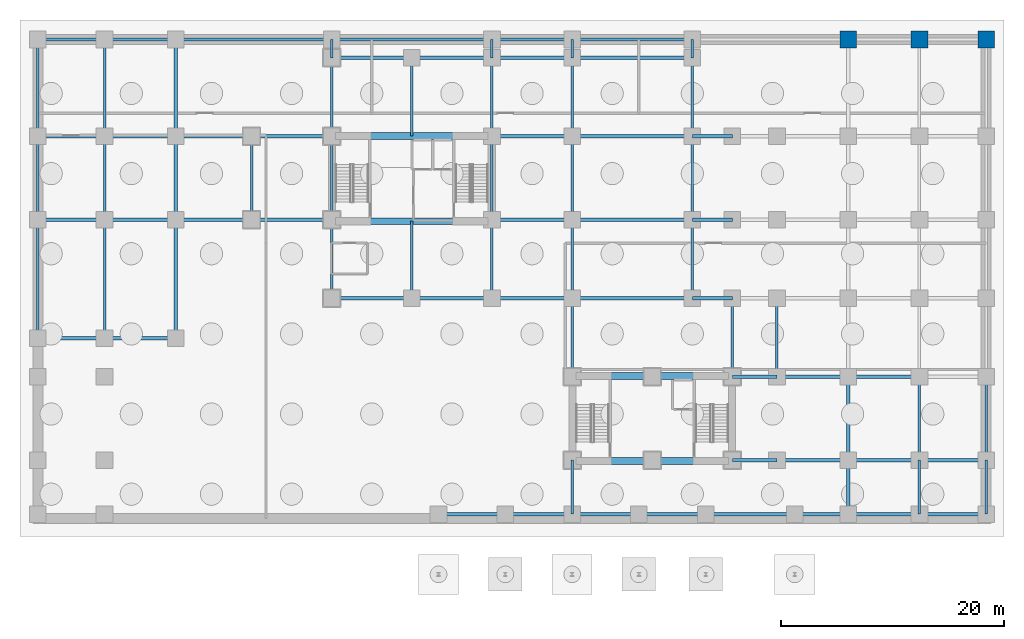
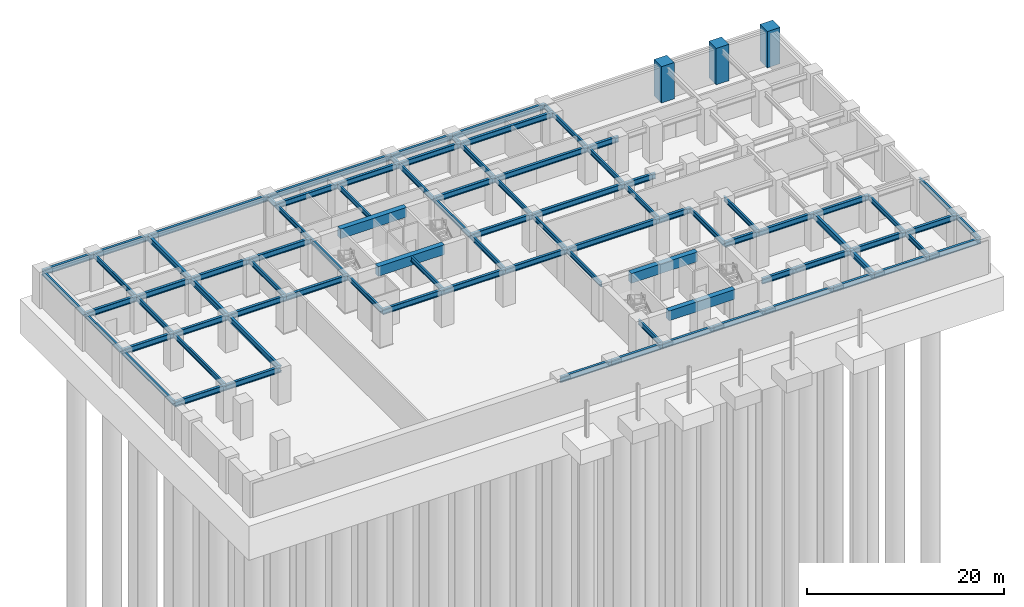
# One storey, part 5 of 11: 88 beams, 3 columns.
"""IFC4 building model written with IfcOpenShell, lengths in metres."""

from ifc_helpers import new_model, si_unit, direction, frame, origin, origin_2d, place, context, subcontext, project, spatial, rectangle, i_section, extrude, source, transform, mapped, material, material_profile, profile_set, type_object, element, save


model = new_model("IFC4")

# Units and contexts
model_context = context("Model", 3, precision=1e-05, world=origin(), true_north=direction((0.0, 1.0)))
body_context = subcontext(model_context, "Body", "Model", "MODEL_VIEW")
ifc_project = project(units=[si_unit("LENGTHUNIT", "METRE"), si_unit("AREAUNIT", "SQUARE_METRE"), si_unit("VOLUMEUNIT", "CUBIC_METRE"), si_unit("PLANEANGLEUNIT", "RADIAN"), si_unit("MASSUNIT", "GRAM", prefix="KILO")], contexts=[model_context])

# Site, building, storey
site_placement = place(None, origin())
site = spatial("IfcSite", under=ifc_project, at=site_placement, CompositionType="ELEMENT")
building_placement = place(site_placement, origin())
building = spatial("IfcBuilding", under=site, at=building_placement, Name="Kaliganga Portal Commons", CompositionType="ELEMENT")
storey_placement = place(building_placement, frame((0.0, 0.0, -9.0)))
storey = spatial("IfcBuildingStorey", under=building, at=storey_placement, Name="B2", CompositionType="ELEMENT", Elevation=-9.0)

# Columns
ifc_material_1 = material(Name="Concrete C70/85", Category="concrete")
ifc_material_profile_1 = material_profile(ifc_material_1, rectangle(XDim=1.5, YDim=1.5, at=origin_2d()), Name="RC 1500x1500")
ifc_profile_set_1 = profile_set([ifc_material_profile_1], Name="Concrete C70/85")
column_type = type_object("IfcColumnType", Name="COL-MEGA-Z0", PredefinedType="COLUMN", material=ifc_profile_set_1)
shared_shape_1 = source(origin(), body_context, "Body", "SweptSolid", [
    extrude(rectangle(XDim=1.5, YDim=1.5, at=origin_2d()), origin(), (0.0, 0.0, 1.0), 4.5),
])
for number, where, z_axis, x_axis, name in (
    (1, (60.800048828125, 44.85009765625, 0.0), (0.0, 0.0, 1.0), (1.0, 0.0, 0.0), "Column MC-01 B2"),
    (2, (67.199951171875, 44.85009765625, 0.0), (0.0, 0.0, 1.0), (1.0, 0.0, 0.0), "Column MC-01 B2"),
    (3, (73.199951171875, 44.85009765625, 0.0), (0.0, 0.0, 1.0), (1.0, 0.0, 0.0), "Column MC-01 B2"),
):
    element("IfcColumn", number, at=place(storey_placement, frame(where, z_axis=z_axis, x_axis=x_axis)), inside=storey, type_object=column_type, Name=name, PredefinedType="COLUMN", context=body_context, shape_type="MappedRepresentation", body=[
        mapped(shared_shape_1, transform((0.0, 0.0, 0.0), x_axis=(1.0, 0.0, 0.0), y_axis=(0.0, 1.0, 0.0), z_axis=(0.0, 0.0, 1.0), scale=1.0)),
    ])

# Beams
ifc_material_2 = material(Name="Concrete C60/75", Category="concrete")
ifc_material_profile_2 = material_profile(ifc_material_2, rectangle(XDim=0.60009765625, YDim=1.199951171875, at=origin_2d()), Name="RC 600x1200")
ifc_profile_set_2 = profile_set([ifc_material_profile_2], Name="Concrete C60/75")
beam_type_1 = type_object("IfcBeamType", Name="BM-CPL-1200", PredefinedType="LINTEL", material=ifc_profile_set_2)
shared_shape_2 = source(origin(), body_context, "Body", "SweptSolid", [
    extrude(rectangle(XDim=0.60009765625, YDim=1.199951171875, at=origin_2d()), origin(), (0.0, 0.0, 1.0), 7.739990234375),
])
for number, where, z_axis, x_axis, name in (
    (4, (17.72998046875, 28.52490234375, 3.580078125), (1.0, 0.0, 0.0), (0.0, 1.0, 0.0), "BM CPL COREA B2 S"),
    (5, (17.72998046875, 36.175048828125, 3.580078125), (1.0, 0.0, 0.0), (0.0, 1.0, 0.0), "BM CPL COREA B2 N"),
    (6, (39.330078125, 6.97509765625, 3.580078125), (1.0, 0.0, 0.0), (0.0, 1.0, 0.0), "BM CPL COREB B2 S"),
    (7, (39.330078125, 14.625, 3.580078125), (1.0, 0.0, 0.0), (0.0, 1.0, 0.0), "BM CPL COREB B2 N"),
):
    element("IfcBeam", number, at=place(storey_placement, frame(where, z_axis=z_axis, x_axis=x_axis)), inside=storey, type_object=beam_type_1, Name=name, PredefinedType="LINTEL", context=body_context, shape_type="MappedRepresentation", body=[
        mapped(shared_shape_2, transform((0.0, 0.0, 0.0), x_axis=(1.0, 0.0, 0.0), y_axis=(0.0, 1.0, 0.0), z_axis=(0.0, 0.0, 1.0), scale=1.0)),
    ])
ifc_material_3 = material(Name="Structural steel S355J2", Category="steel")
ifc_material_profile_3 = material_profile(ifc_material_3, i_section(OverallWidth=0.300048828125, OverallDepth=0.699951171875, WebThickness=0.01708984375, FlangeThickness=0.031982421875, FilletRadius=0.027099609375, at=origin_2d()), Name="HE 700 B")
ifc_profile_set_3 = profile_set([ifc_material_profile_3], Name="Structural steel S355J2 wide-flange")
beam_type_2 = type_object("IfcBeamType", Name="BM-GIRD-700", PredefinedType="USERDEFINED", material=ifc_profile_set_3)
shared_shape_3 = source(origin(), body_context, "Body", "SweptSolid", [
    extrude(i_section(OverallWidth=0.300048828125, OverallDepth=0.699951171875, WebThickness=0.01708984375, FlangeThickness=0.031982421875, FilletRadius=0.027099609375, at=origin_2d()), origin(), (0.0, 0.0, 1.0), 7.2001953125),
])
for number, where, z_axis, x_axis, name in (
    (8, (14.39990234375, 43.199951171875, 3.830078125), (1.0, 0.0, 0.0), (0.0, 1.0, 0.0), "BM G B2 AN_INT 1"),
    (9, (14.39990234375, 21.60009765625, 3.830078125), (1.0, 0.0, 0.0), (0.0, 1.0, 0.0), "BM G B2 AS_INT 1"),
):
    element("IfcBeam", number, at=place(storey_placement, frame(where, z_axis=z_axis, x_axis=x_axis)), inside=storey, type_object=beam_type_2, Name=name, ObjectType="GIRDER", PredefinedType="USERDEFINED", context=body_context, shape_type="MappedRepresentation", body=[
        mapped(shared_shape_3, transform((0.0, 0.0, 0.0), x_axis=(1.0, 0.0, 0.0), y_axis=(0.0, 1.0, 0.0), z_axis=(0.0, 0.0, 1.0), scale=1.0)),
    ])
shared_shape_4 = source(origin(), body_context, "Body", "SweptSolid", [
    extrude(i_section(OverallWidth=0.300048828125, OverallDepth=0.699951171875, WebThickness=0.01708984375, FlangeThickness=0.031982421875, FilletRadius=0.027099609375, at=origin_2d()), origin(), (0.0, 0.0, 1.0), 7.199951171875),
])
for number, where, z_axis, x_axis, name in (
    (10, (21.60009765625, 43.199951171875, 3.830078125), (1.0, 0.0, 0.0), (0.0, 1.0, 0.0), "BM G B2 AN_INT 2"),
    (11, (28.800048828125, 43.199951171875, 3.830078125), (1.0, 0.0, 0.0), (0.0, 1.0, 0.0), "BM G B2 AN_INT 3"),
    (12, (21.60009765625, 21.60009765625, 3.830078125), (1.0, 0.0, 0.0), (0.0, 1.0, 0.0), "BM G B2 AS_INT 2"),
    (13, (28.800048828125, 21.60009765625, 3.830078125), (1.0, 0.0, 0.0), (0.0, 1.0, 0.0), "BM G B2 AS_INT 3"),
    (14, (7.199951171875, 28.64990234375, 3.830078125), (1.0, 0.0, 0.0), (0.0, 1.0, 0.0), "BM G B2 WAH_S 2"),
    (15, (7.199951171875, 36.14990234375, 3.830078125), (1.0, 0.0, 0.0), (0.0, 1.0, 0.0), "BM G B2 WAH_N 2"),
    (16, (28.800048828125, 28.64990234375, 3.830078125), (1.0, 0.0, 0.0), (0.0, 1.0, 0.0), "BM G B2 WAE_S 1"),
    (17, (28.800048828125, 36.14990234375, 3.830078125), (1.0, 0.0, 0.0), (0.0, 1.0, 0.0), "BM G B2 WAE_N 1"),
    (18, (28.800048828125, 44.85009765625, 3.830078125), (1.0, 0.0, 0.0), (0.0, 1.0, 0.0), "BM PODP B2 N44 3"),
):
    element("IfcBeam", number, at=place(storey_placement, frame(where, z_axis=z_axis, x_axis=x_axis)), inside=storey, type_object=beam_type_2, Name=name, ObjectType="GIRDER", PredefinedType="USERDEFINED", context=body_context, shape_type="MappedRepresentation", body=[
        mapped(shared_shape_4, transform((0.0, 0.0, 0.0), x_axis=(1.0, 0.0, 0.0), y_axis=(0.0, 1.0, 0.0), z_axis=(0.0, 0.0, 1.0), scale=1.0)),
    ])
shared_shape_5 = source(origin(), body_context, "Body", "SweptSolid", [
    extrude(i_section(OverallWidth=0.300048828125, OverallDepth=0.699951171875, WebThickness=0.01708984375, FlangeThickness=0.031982421875, FilletRadius=0.027099609375, at=origin_2d()), origin(), (0.0, 0.0, 1.0), 10.800048828125),
])
for number, where, z_axis, x_axis, name in (
    (19, (36.0, 43.199951171875, 3.830078125), (1.0, 0.0, 0.0), (0.0, 1.0, 0.0), "BM G B2 AN_INT 4"),
    (20, (36.0, 21.60009765625, 3.830078125), (1.0, 0.0, 0.0), (0.0, 1.0, 0.0), "BM G B2 AS_INT 4"),
    (21, (36.0, 28.64990234375, 3.830078125), (1.0, 0.0, 0.0), (0.0, 1.0, 0.0), "BM G B2 WAE_S 2"),
    (22, (36.0, 36.14990234375, 3.830078125), (1.0, 0.0, 0.0), (0.0, 1.0, 0.0), "BM G B2 WAE_N 2"),
    (23, (36.0, 44.85009765625, 3.830078125), (1.0, 0.0, 0.0), (0.0, 1.0, 0.0), "BM PODP B2 N44 4"),
):
    element("IfcBeam", number, at=place(storey_placement, frame(where, z_axis=z_axis, x_axis=x_axis)), inside=storey, type_object=beam_type_2, Name=name, ObjectType="GIRDER", PredefinedType="USERDEFINED", context=body_context, shape_type="MappedRepresentation", body=[
        mapped(shared_shape_5, transform((0.0, 0.0, 0.0), x_axis=(1.0, 0.0, 0.0), y_axis=(0.0, 1.0, 0.0), z_axis=(0.0, 0.0, 1.0), scale=1.0)),
    ])
shared_shape_6 = source(origin(), body_context, "Body", "SweptSolid", [
    extrude(i_section(OverallWidth=0.300048828125, OverallDepth=0.699951171875, WebThickness=0.01708984375, FlangeThickness=0.031982421875, FilletRadius=0.027099609375, at=origin_2d()), origin(), (0.0, 0.0, 1.0), 6.800048828125),
])
for number, where, z_axis, x_axis, name in (
    (24, (0.39990234375, 28.64990234375, 3.830078125), (1.0, 0.0, 0.0), (0.0, 1.0, 0.0), "BM G B2 WAH_S 1"),
    (25, (0.39990234375, 36.14990234375, 3.830078125), (1.0, 0.0, 0.0), (0.0, 1.0, 0.0), "BM G B2 WAH_N 1"),
):
    element("IfcBeam", number, at=place(storey_placement, frame(where, z_axis=z_axis, x_axis=x_axis)), inside=storey, type_object=beam_type_2, Name=name, ObjectType="GIRDER", PredefinedType="USERDEFINED", context=body_context, shape_type="MappedRepresentation", body=[
        mapped(shared_shape_6, transform((0.0, 0.0, 0.0), x_axis=(1.0, 0.0, 0.0), y_axis=(0.0, 1.0, 0.0), z_axis=(0.0, 0.0, 1.0), scale=1.0)),
    ])
ifc_material_profile_4 = material_profile(ifc_material_3, i_section(OverallWidth=0.219970703125, OverallDepth=0.60009765625, WebThickness=0.011962890625, FlangeThickness=0.01904296875, FilletRadius=0.02392578125, at=origin_2d()), Name="IPE 600")
ifc_profile_set_4 = profile_set([ifc_material_profile_4], Name="Structural steel S355J2 wide-flange")
beam_type_3 = type_object("IfcBeamType", Name="BM-FLR-600", PredefinedType="BEAM", material=ifc_profile_set_4)
shared_shape_7 = source(origin(), body_context, "Body", "SweptSolid", [
    extrude(i_section(OverallWidth=0.219970703125, OverallDepth=0.60009765625, WebThickness=0.011962890625, FlangeThickness=0.01904296875, FilletRadius=0.02392578125, at=origin_2d()), origin(), (0.0, 0.0, 1.0), 7.5),
])
for number, where, z_axis, x_axis, name in (
    (26, (7.199951171875, 28.64990234375, 3.8798828125), (0.0, 1.0, 0.0), (-1.0, 0.0, 0.0), "BM G B2 AW72"),
    (27, (14.39990234375, 28.64990234375, 3.8798828125), (0.0, 1.0, 0.0), (-1.0, 0.0, 0.0), "BM G B2 AM144"),
    (28, (28.800048828125, 28.64990234375, 3.8798828125), (0.0, 1.0, 0.0), (-1.0, 0.0, 0.0), "BM G B2 AM288"),
    (29, (36.0, 28.64990234375, 3.8798828125), (0.0, 1.0, 0.0), (-1.0, 0.0, 0.0), "BM G B2 AM360"),
    (30, (46.800048828125, 28.64990234375, 3.8798828125), (0.0, 1.0, 0.0), (-1.0, 0.0, 0.0), "BM G B2 AM468"),
    (31, (-12.0, 28.64990234375, 3.8798828125), (0.0, 1.0, 0.0), (-1.0, 0.0, 0.0), "BM PODW B2 X12 2"),
    (32, (-6.0, 28.64990234375, 3.8798828125), (0.0, 1.0, 0.0), (-1.0, 0.0, 0.0), "BM PODW B2 X6 2"),
    (33, (67.199951171875, 7.050048828125, 3.8798828125), (0.0, 1.0, 0.0), (-1.0, 0.0, 0.0), "BM PODE B2 X67 2"),
    (34, (73.199951171875, 7.050048828125, 3.8798828125), (0.0, 1.0, 0.0), (-1.0, 0.0, 0.0), "BM PODE B2 X73 2"),
):
    element("IfcBeam", number, at=place(storey_placement, frame(where, z_axis=z_axis, x_axis=x_axis)), inside=storey, type_object=beam_type_3, Name=name, PredefinedType="BEAM", context=body_context, shape_type="MappedRepresentation", body=[
        mapped(shared_shape_7, transform((0.0, 0.0, 0.0), x_axis=(1.0, 0.0, 0.0), y_axis=(0.0, 1.0, 0.0), z_axis=(0.0, 0.0, 1.0), scale=1.0)),
    ])
shared_shape_8 = source(origin(), body_context, "Body", "SweptSolid", [
    extrude(i_section(OverallWidth=0.219970703125, OverallDepth=0.60009765625, WebThickness=0.011962890625, FlangeThickness=0.01904296875, FilletRadius=0.02392578125, at=origin_2d()), origin(), (0.0, 0.0, 1.0), 7.050048828125),
])
for number, where, z_axis, x_axis, name in (
    (35, (14.39990234375, 36.14990234375, 3.8798828125), (0.0, 1.0, 0.0), (-1.0, 0.0, 0.0), "BM G B2 AN144"),
    (36, (28.800048828125, 36.14990234375, 3.8798828125), (0.0, 1.0, 0.0), (-1.0, 0.0, 0.0), "BM G B2 AN288"),
    (37, (36.0, 36.14990234375, 3.8798828125), (0.0, 1.0, 0.0), (-1.0, 0.0, 0.0), "BM G B2 AN360"),
    (38, (46.800048828125, 36.14990234375, 3.8798828125), (0.0, 1.0, 0.0), (-1.0, 0.0, 0.0), "BM G B2 AN468"),
    (39, (36.0, 14.550048828125, 3.8798828125), (0.0, 1.0, 0.0), (-1.0, 0.0, 0.0), "BM G B2 BNK360"),
    (40, (50.39990234375, 14.550048828125, 3.8798828125), (0.0, 1.0, 0.0), (-1.0, 0.0, 0.0), "BM G B2 BNK504"),
    (41, (54.39990234375, 14.550048828125, 3.8798828125), (0.0, 1.0, 0.0), (-1.0, 0.0, 0.0), "BM G B2 BNK544"),
):
    element("IfcBeam", number, at=place(storey_placement, frame(where, z_axis=z_axis, x_axis=x_axis)), inside=storey, type_object=beam_type_3, Name=name, PredefinedType="BEAM", context=body_context, shape_type="MappedRepresentation", body=[
        mapped(shared_shape_8, transform((0.0, 0.0, 0.0), x_axis=(1.0, 0.0, 0.0), y_axis=(0.0, 1.0, 0.0), z_axis=(0.0, 0.0, 1.0), scale=1.0)),
    ])
shared_shape_9 = source(origin(), body_context, "Body", "SweptSolid", [
    extrude(i_section(OverallWidth=0.219970703125, OverallDepth=0.60009765625, WebThickness=0.011962890625, FlangeThickness=0.01904296875, FilletRadius=0.02392578125, at=origin_2d()), origin(), (0.0, 0.0, 1.0), 7.0498046875),
])
for number, where, z_axis, x_axis, name in (
    (42, (14.39990234375, 21.60009765625, 3.8798828125), (0.0, 1.0, 0.0), (-1.0, 0.0, 0.0), "BM G B2 AS144"),
    (43, (28.800048828125, 21.60009765625, 3.8798828125), (0.0, 1.0, 0.0), (-1.0, 0.0, 0.0), "BM G B2 AS288"),
    (44, (36.0, 21.60009765625, 3.8798828125), (0.0, 1.0, 0.0), (-1.0, 0.0, 0.0), "BM G B2 AS360"),
    (45, (46.800048828125, 21.60009765625, 3.8798828125), (0.0, 1.0, 0.0), (-1.0, 0.0, 0.0), "BM G B2 AS468"),
):
    element("IfcBeam", number, at=place(storey_placement, frame(where, z_axis=z_axis, x_axis=x_axis)), inside=storey, type_object=beam_type_3, Name=name, PredefinedType="BEAM", context=body_context, shape_type="MappedRepresentation", body=[
        mapped(shared_shape_9, transform((0.0, 0.0, 0.0), x_axis=(1.0, 0.0, 0.0), y_axis=(0.0, 1.0, 0.0), z_axis=(0.0, 0.0, 1.0), scale=1.0)),
    ])
shared_shape_10 = source(origin(), body_context, "Body", "SweptSolid", [
    extrude(i_section(OverallWidth=0.219970703125, OverallDepth=0.60009765625, WebThickness=0.011962890625, FlangeThickness=0.01904296875, FilletRadius=0.02392578125, at=origin_2d()), origin(), (0.0, 0.0, 1.0), 7.02490234375),
])
beam_1_placement = place(storey_placement, frame((21.60009765625, 36.175048828125, 3.8798828125), z_axis=(0.0, 1.0, 0.0), x_axis=(-1.0, 0.0, 0.0)))
element("IfcBeam", 46, at=beam_1_placement, inside=storey, type_object=beam_type_3, Name="BM G B2 AN216", PredefinedType="BEAM", context=body_context, shape_type="MappedRepresentation", body=[
    mapped(shared_shape_10, transform((0.0, 0.0, 0.0), x_axis=(1.0, 0.0, 0.0), y_axis=(0.0, 1.0, 0.0), z_axis=(0.0, 0.0, 1.0), scale=1.0)),
])
shared_shape_11 = source(origin(), body_context, "Body", "SweptSolid", [
    extrude(i_section(OverallWidth=0.219970703125, OverallDepth=0.60009765625, WebThickness=0.011962890625, FlangeThickness=0.01904296875, FilletRadius=0.02392578125, at=origin_2d()), origin(), (0.0, 0.0, 1.0), 6.9248046875),
])
beam_2_placement = place(storey_placement, frame((21.60009765625, 21.60009765625, 3.8798828125), z_axis=(0.0, 1.0, 0.0), x_axis=(-1.0, 0.0, 0.0)))
element("IfcBeam", 47, at=beam_2_placement, inside=storey, type_object=beam_type_3, Name="BM G B2 AS216", PredefinedType="BEAM", context=body_context, shape_type="MappedRepresentation", body=[
    mapped(shared_shape_11, transform((0.0, 0.0, 0.0), x_axis=(1.0, 0.0, 0.0), y_axis=(0.0, 1.0, 0.0), z_axis=(0.0, 0.0, 1.0), scale=1.0)),
])
shared_shape_12 = source(origin(), body_context, "Body", "SweptSolid", [
    extrude(i_section(OverallWidth=0.300048828125, OverallDepth=0.699951171875, WebThickness=0.01708984375, FlangeThickness=0.031982421875, FilletRadius=0.027099609375, at=origin_2d()), origin(), (0.0, 0.0, 1.0), 4.0),
])
for number, where, z_axis, x_axis, name in (
    (48, (50.39990234375, 7.050048828125, 3.830078125), (1.0, 0.0, 0.0), (0.0, 1.0, 0.0), "BM G B2 BKE70 1"),
    (49, (50.39990234375, 14.550048828125, 3.830078125), (1.0, 0.0, 0.0), (0.0, 1.0, 0.0), "BM G B2 BKE146 1"),
):
    element("IfcBeam", number, at=place(storey_placement, frame(where, z_axis=z_axis, x_axis=x_axis)), inside=storey, type_object=beam_type_2, Name=name, ObjectType="GIRDER", PredefinedType="USERDEFINED", context=body_context, shape_type="MappedRepresentation", body=[
        mapped(shared_shape_12, transform((0.0, 0.0, 0.0), x_axis=(1.0, 0.0, 0.0), y_axis=(0.0, 1.0, 0.0), z_axis=(0.0, 0.0, 1.0), scale=1.0)),
    ])
shared_shape_13 = source(origin(), body_context, "Body", "SweptSolid", [
    extrude(i_section(OverallWidth=0.300048828125, OverallDepth=0.699951171875, WebThickness=0.01708984375, FlangeThickness=0.031982421875, FilletRadius=0.027099609375, at=origin_2d()), origin(), (0.0, 0.0, 1.0), 6.400146484375),
])
for number, where, z_axis, x_axis, name in (
    (50, (54.39990234375, 7.050048828125, 3.830078125), (1.0, 0.0, 0.0), (0.0, 1.0, 0.0), "BM G B2 BKE70 2"),
    (51, (54.39990234375, 14.550048828125, 3.830078125), (1.0, 0.0, 0.0), (0.0, 1.0, 0.0), "BM G B2 BKE146 2"),
):
    element("IfcBeam", number, at=place(storey_placement, frame(where, z_axis=z_axis, x_axis=x_axis)), inside=storey, type_object=beam_type_2, Name=name, ObjectType="GIRDER", PredefinedType="USERDEFINED", context=body_context, shape_type="MappedRepresentation", body=[
        mapped(shared_shape_13, transform((0.0, 0.0, 0.0), x_axis=(1.0, 0.0, 0.0), y_axis=(0.0, 1.0, 0.0), z_axis=(0.0, 0.0, 1.0), scale=1.0)),
    ])
shared_shape_14 = source(origin(), body_context, "Body", "SweptSolid", [
    extrude(i_section(OverallWidth=0.300048828125, OverallDepth=0.699951171875, WebThickness=0.01708984375, FlangeThickness=0.031982421875, FilletRadius=0.027099609375, at=origin_2d()), origin(), (0.0, 0.0, 1.0), 3.599853515625),
])
for number, where, z_axis, x_axis, name in (
    (52, (46.800048828125, 21.60009765625, 3.830078125), (1.0, 0.0, 0.0), (0.0, 1.0, 0.0), "BM G B2 BKE216 1"),
    (53, (46.800048828125, 28.64990234375, 3.830078125), (1.0, 0.0, 0.0), (0.0, 1.0, 0.0), "BM G B2 BKE286 1"),
    (54, (46.800048828125, 36.14990234375, 3.830078125), (1.0, 0.0, 0.0), (0.0, 1.0, 0.0), "BM G B2 BKE362 1"),
):
    element("IfcBeam", number, at=place(storey_placement, frame(where, z_axis=z_axis, x_axis=x_axis)), inside=storey, type_object=beam_type_2, Name=name, ObjectType="GIRDER", PredefinedType="USERDEFINED", context=body_context, shape_type="MappedRepresentation", body=[
        mapped(shared_shape_14, transform((0.0, 0.0, 0.0), x_axis=(1.0, 0.0, 0.0), y_axis=(0.0, 1.0, 0.0), z_axis=(0.0, 0.0, 1.0), scale=1.0)),
    ])
shared_shape_15 = source(origin(), body_context, "Body", "SweptSolid", [
    extrude(i_section(OverallWidth=0.300048828125, OverallDepth=0.699951171875, WebThickness=0.01708984375, FlangeThickness=0.031982421875, FilletRadius=0.027099609375, at=origin_2d()), origin(), (0.0, 0.0, 1.0), 10.64990234375),
])
beam_3_placement = place(storey_placement, frame((0.39990234375, 18.0, 3.830078125), z_axis=(0.0, 1.0, 0.0), x_axis=(-1.0, 0.0, 0.0)))
element("IfcBeam", 55, at=beam_3_placement, inside=storey, type_object=beam_type_2, Name="BM PODP B2 W04 1", ObjectType="GIRDER", PredefinedType="USERDEFINED", context=body_context, shape_type="MappedRepresentation", body=[
    mapped(shared_shape_15, transform((0.0, 0.0, 0.0), x_axis=(1.0, 0.0, 0.0), y_axis=(0.0, 1.0, 0.0), z_axis=(0.0, 0.0, 1.0), scale=1.0)),
])
shared_shape_16 = source(origin(), body_context, "Body", "SweptSolid", [
    extrude(i_section(OverallWidth=0.300048828125, OverallDepth=0.699951171875, WebThickness=0.01708984375, FlangeThickness=0.031982421875, FilletRadius=0.027099609375, at=origin_2d()), origin(), (0.0, 0.0, 1.0), 7.5),
])
for number, where, z_axis, x_axis, name in (
    (56, (0.39990234375, 28.64990234375, 3.830078125), (0.0, 1.0, 0.0), (-1.0, 0.0, 0.0), "BM PODP B2 W04 2"),
    (57, (60.800048828125, 7.050048828125, 3.830078125), (0.0, 1.0, 0.0), (-1.0, 0.0, 0.0), "BM PODP B2 E60 2"),
):
    element("IfcBeam", number, at=place(storey_placement, frame(where, z_axis=z_axis, x_axis=x_axis)), inside=storey, type_object=beam_type_2, Name=name, ObjectType="GIRDER", PredefinedType="USERDEFINED", context=body_context, shape_type="MappedRepresentation", body=[
        mapped(shared_shape_16, transform((0.0, 0.0, 0.0), x_axis=(1.0, 0.0, 0.0), y_axis=(0.0, 1.0, 0.0), z_axis=(0.0, 0.0, 1.0), scale=1.0)),
    ])
shared_shape_17 = source(origin(), body_context, "Body", "SweptSolid", [
    extrude(i_section(OverallWidth=0.300048828125, OverallDepth=0.699951171875, WebThickness=0.01708984375, FlangeThickness=0.031982421875, FilletRadius=0.027099609375, at=origin_2d()), origin(), (0.0, 0.0, 1.0), 8.7001953125),
])
beam_4_placement = place(storey_placement, frame((0.39990234375, 36.14990234375, 3.830078125), z_axis=(0.0, 1.0, 0.0), x_axis=(-1.0, 0.0, 0.0)))
element("IfcBeam", 58, at=beam_4_placement, inside=storey, type_object=beam_type_2, Name="BM PODP B2 W04 3", ObjectType="GIRDER", PredefinedType="USERDEFINED", context=body_context, shape_type="MappedRepresentation", body=[
    mapped(shared_shape_17, transform((0.0, 0.0, 0.0), x_axis=(1.0, 0.0, 0.0), y_axis=(0.0, 1.0, 0.0), z_axis=(0.0, 0.0, 1.0), scale=1.0)),
])
shared_shape_18 = source(origin(), body_context, "Body", "SweptSolid", [
    extrude(i_section(OverallWidth=0.300048828125, OverallDepth=0.699951171875, WebThickness=0.01708984375, FlangeThickness=0.031982421875, FilletRadius=0.027099609375, at=origin_2d()), origin(), (0.0, 0.0, 1.0), 14.0),
])
beam_5_placement = place(storey_placement, frame((0.39990234375, 44.85009765625, 3.830078125), z_axis=(1.0, 0.0, 0.0), x_axis=(0.0, 1.0, 0.0)))
element("IfcBeam", 59, at=beam_5_placement, inside=storey, type_object=beam_type_2, Name="BM PODP B2 N44 1", ObjectType="GIRDER", PredefinedType="USERDEFINED", context=body_context, shape_type="MappedRepresentation", body=[
    mapped(shared_shape_18, transform((0.0, 0.0, 0.0), x_axis=(1.0, 0.0, 0.0), y_axis=(0.0, 1.0, 0.0), z_axis=(0.0, 0.0, 1.0), scale=1.0)),
])
shared_shape_19 = source(origin(), body_context, "Body", "SweptSolid", [
    extrude(i_section(OverallWidth=0.300048828125, OverallDepth=0.699951171875, WebThickness=0.01708984375, FlangeThickness=0.031982421875, FilletRadius=0.027099609375, at=origin_2d()), origin(), (0.0, 0.0, 1.0), 14.400146484375),
])
beam_6_placement = place(storey_placement, frame((14.39990234375, 44.85009765625, 3.830078125), z_axis=(1.0, 0.0, 0.0), x_axis=(0.0, 1.0, 0.0)))
element("IfcBeam", 60, at=beam_6_placement, inside=storey, type_object=beam_type_2, Name="BM PODP B2 N44 2", ObjectType="GIRDER", PredefinedType="USERDEFINED", context=body_context, shape_type="MappedRepresentation", body=[
    mapped(shared_shape_19, transform((0.0, 0.0, 0.0), x_axis=(1.0, 0.0, 0.0), y_axis=(0.0, 1.0, 0.0), z_axis=(0.0, 0.0, 1.0), scale=1.0)),
])
shared_shape_20 = source(origin(), body_context, "Body", "SweptSolid", [
    extrude(i_section(OverallWidth=0.300048828125, OverallDepth=0.699951171875, WebThickness=0.01708984375, FlangeThickness=0.031982421875, FilletRadius=0.027099609375, at=origin_2d()), origin(), (0.0, 0.0, 1.0), 4.85009765625),
])
beam_7_placement = place(storey_placement, frame((60.800048828125, 2.199951171875, 3.830078125), z_axis=(0.0, 1.0, 0.0), x_axis=(-1.0, 0.0, 0.0)))
element("IfcBeam", 61, at=beam_7_placement, inside=storey, type_object=beam_type_2, Name="BM PODP B2 E60 1", ObjectType="GIRDER", PredefinedType="USERDEFINED", context=body_context, shape_type="MappedRepresentation", body=[
    mapped(shared_shape_20, transform((0.0, 0.0, 0.0), x_axis=(1.0, 0.0, 0.0), y_axis=(0.0, 1.0, 0.0), z_axis=(0.0, 0.0, 1.0), scale=1.0)),
])
shared_shape_21 = source(origin(), body_context, "Body", "SweptSolid", [
    extrude(i_section(OverallWidth=0.300048828125, OverallDepth=0.699951171875, WebThickness=0.01708984375, FlangeThickness=0.031982421875, FilletRadius=0.027099609375, at=origin_2d()), origin(), (0.0, 0.0, 1.0), 6.0),
])
for number, where, z_axis, x_axis, name in (
    (62, (24.0, 2.199951171875, 3.830078125), (1.0, 0.0, 0.0), (0.0, 1.0, 0.0), "BM PODP B2 S02 1"),
    (63, (30.0, 2.199951171875, 3.830078125), (1.0, 0.0, 0.0), (0.0, 1.0, 0.0), "BM PODP B2 S02 2"),
    (64, (36.0, 2.199951171875, 3.830078125), (1.0, 0.0, 0.0), (0.0, 1.0, 0.0), "BM PODP B2 S02 3"),
    (65, (42.0, 2.199951171875, 3.830078125), (1.0, 0.0, 0.0), (0.0, 1.0, 0.0), "BM PODP B2 S02 4"),
    (66, (-12.0, 18.0, 3.830078125), (1.0, 0.0, 0.0), (0.0, 1.0, 0.0), "BM PODW B2 Y18 1"),
    (67, (-12.0, 28.64990234375, 3.830078125), (1.0, 0.0, 0.0), (0.0, 1.0, 0.0), "BM PODW B2 Y28 1"),
    (68, (-12.0, 36.14990234375, 3.830078125), (1.0, 0.0, 0.0), (0.0, 1.0, 0.0), "BM PODW B2 Y36 1"),
    (69, (-12.0, 44.85009765625, 3.830078125), (1.0, 0.0, 0.0), (0.0, 1.0, 0.0), "BM PODW B2 Y44 1"),
    (70, (67.199951171875, 2.199951171875, 3.830078125), (1.0, 0.0, 0.0), (0.0, 1.0, 0.0), "BM PODE B2 Y2 2"),
    (71, (67.199951171875, 7.050048828125, 3.830078125), (1.0, 0.0, 0.0), (0.0, 1.0, 0.0), "BM PODE B2 Y7 2"),
):
    element("IfcBeam", number, at=place(storey_placement, frame(where, z_axis=z_axis, x_axis=x_axis)), inside=storey, type_object=beam_type_2, Name=name, ObjectType="GIRDER", PredefinedType="USERDEFINED", context=body_context, shape_type="MappedRepresentation", body=[
        mapped(shared_shape_21, transform((0.0, 0.0, 0.0), x_axis=(1.0, 0.0, 0.0), y_axis=(0.0, 1.0, 0.0), z_axis=(0.0, 0.0, 1.0), scale=1.0)),
    ])
shared_shape_22 = source(origin(), body_context, "Body", "SweptSolid", [
    extrude(i_section(OverallWidth=0.300048828125, OverallDepth=0.699951171875, WebThickness=0.01708984375, FlangeThickness=0.031982421875, FilletRadius=0.027099609375, at=origin_2d()), origin(), (0.0, 0.0, 1.0), 8.0),
])
beam_8_placement = place(storey_placement, frame((48.0, 2.199951171875, 3.830078125), z_axis=(1.0, 0.0, 0.0), x_axis=(0.0, 1.0, 0.0)))
element("IfcBeam", 72, at=beam_8_placement, inside=storey, type_object=beam_type_2, Name="BM PODP B2 S02 5", ObjectType="GIRDER", PredefinedType="USERDEFINED", context=body_context, shape_type="MappedRepresentation", body=[
    mapped(shared_shape_22, transform((0.0, 0.0, 0.0), x_axis=(1.0, 0.0, 0.0), y_axis=(0.0, 1.0, 0.0), z_axis=(0.0, 0.0, 1.0), scale=1.0)),
])
shared_shape_23 = source(origin(), body_context, "Body", "SweptSolid", [
    extrude(i_section(OverallWidth=0.300048828125, OverallDepth=0.699951171875, WebThickness=0.01708984375, FlangeThickness=0.031982421875, FilletRadius=0.027099609375, at=origin_2d()), origin(), (0.0, 0.0, 1.0), 4.800048828125),
])
beam_9_placement = place(storey_placement, frame((56.0, 2.199951171875, 3.830078125), z_axis=(1.0, 0.0, 0.0), x_axis=(0.0, 1.0, 0.0)))
element("IfcBeam", 73, at=beam_9_placement, inside=storey, type_object=beam_type_2, Name="BM PODP B2 S02 6", ObjectType="GIRDER", PredefinedType="USERDEFINED", context=body_context, shape_type="MappedRepresentation", body=[
    mapped(shared_shape_23, transform((0.0, 0.0, 0.0), x_axis=(1.0, 0.0, 0.0), y_axis=(0.0, 1.0, 0.0), z_axis=(0.0, 0.0, 1.0), scale=1.0)),
])
shared_shape_24 = source(origin(), body_context, "Body", "SweptSolid", [
    extrude(i_section(OverallWidth=0.219970703125, OverallDepth=0.60009765625, WebThickness=0.011962890625, FlangeThickness=0.01904296875, FilletRadius=0.02392578125, at=origin_2d()), origin(), (0.0, 0.0, 1.0), 1.650146484375),
])
for number, where, z_axis, x_axis, name in (
    (74, (14.39990234375, 43.199951171875, 3.8798828125), (0.0, 1.0, 0.0), (-1.0, 0.0, 0.0), "BM PODP B2 NT14"),
    (75, (28.800048828125, 43.199951171875, 3.8798828125), (0.0, 1.0, 0.0), (-1.0, 0.0, 0.0), "BM PODP B2 NT28"),
    (76, (36.0, 43.199951171875, 3.8798828125), (0.0, 1.0, 0.0), (-1.0, 0.0, 0.0), "BM PODP B2 NT36"),
    (77, (46.800048828125, 43.199951171875, 3.8798828125), (0.0, 1.0, 0.0), (-1.0, 0.0, 0.0), "BM PODP B2 NT46"),
):
    element("IfcBeam", number, at=place(storey_placement, frame(where, z_axis=z_axis, x_axis=x_axis)), inside=storey, type_object=beam_type_3, Name=name, PredefinedType="BEAM", context=body_context, shape_type="MappedRepresentation", body=[
        mapped(shared_shape_24, transform((0.0, 0.0, 0.0), x_axis=(1.0, 0.0, 0.0), y_axis=(0.0, 1.0, 0.0), z_axis=(0.0, 0.0, 1.0), scale=1.0)),
    ])
shared_shape_25 = source(origin(), body_context, "Body", "SweptSolid", [
    extrude(i_section(OverallWidth=0.219970703125, OverallDepth=0.60009765625, WebThickness=0.011962890625, FlangeThickness=0.01904296875, FilletRadius=0.02392578125, at=origin_2d()), origin(), (0.0, 0.0, 1.0), 4.85009765625),
])
for number, where, z_axis, x_axis, name in (
    (78, (36.0, 2.199951171875, 3.8798828125), (0.0, 1.0, 0.0), (-1.0, 0.0, 0.0), "BM PODP B2 ST36"),
    (79, (67.199951171875, 2.199951171875, 3.8798828125), (0.0, 1.0, 0.0), (-1.0, 0.0, 0.0), "BM PODE B2 X67 1"),
    (80, (73.199951171875, 2.199951171875, 3.8798828125), (0.0, 1.0, 0.0), (-1.0, 0.0, 0.0), "BM PODE B2 X73 1"),
):
    element("IfcBeam", number, at=place(storey_placement, frame(where, z_axis=z_axis, x_axis=x_axis)), inside=storey, type_object=beam_type_3, Name=name, PredefinedType="BEAM", context=body_context, shape_type="MappedRepresentation", body=[
        mapped(shared_shape_25, transform((0.0, 0.0, 0.0), x_axis=(1.0, 0.0, 0.0), y_axis=(0.0, 1.0, 0.0), z_axis=(0.0, 0.0, 1.0), scale=1.0)),
    ])
shared_shape_26 = source(origin(), body_context, "Body", "SweptSolid", [
    extrude(i_section(OverallWidth=0.300048828125, OverallDepth=0.699951171875, WebThickness=0.01708984375, FlangeThickness=0.031982421875, FilletRadius=0.027099609375, at=origin_2d()), origin(), (0.0, 0.0, 1.0), 6.39990234375),
])
for number, where, z_axis, x_axis, name in (
    (81, (-6.0, 18.0, 3.830078125), (1.0, 0.0, 0.0), (0.0, 1.0, 0.0), "BM PODW B2 Y18 2"),
    (82, (-6.0, 28.64990234375, 3.830078125), (1.0, 0.0, 0.0), (0.0, 1.0, 0.0), "BM PODW B2 Y28 2"),
    (83, (-6.0, 36.14990234375, 3.830078125), (1.0, 0.0, 0.0), (0.0, 1.0, 0.0), "BM PODW B2 Y36 2"),
    (84, (-6.0, 44.85009765625, 3.830078125), (1.0, 0.0, 0.0), (0.0, 1.0, 0.0), "BM PODW B2 Y44 2"),
    (85, (60.800048828125, 2.199951171875, 3.830078125), (1.0, 0.0, 0.0), (0.0, 1.0, 0.0), "BM PODE B2 Y2 1"),
    (86, (60.800048828125, 7.050048828125, 3.830078125), (1.0, 0.0, 0.0), (0.0, 1.0, 0.0), "BM PODE B2 Y7 1"),
    (87, (60.800048828125, 14.550048828125, 3.830078125), (1.0, 0.0, 0.0), (0.0, 1.0, 0.0), "BM PODE B2 Y14 1"),
):
    element("IfcBeam", number, at=place(storey_placement, frame(where, z_axis=z_axis, x_axis=x_axis)), inside=storey, type_object=beam_type_2, Name=name, ObjectType="GIRDER", PredefinedType="USERDEFINED", context=body_context, shape_type="MappedRepresentation", body=[
        mapped(shared_shape_26, transform((0.0, 0.0, 0.0), x_axis=(1.0, 0.0, 0.0), y_axis=(0.0, 1.0, 0.0), z_axis=(0.0, 0.0, 1.0), scale=1.0)),
    ])
shared_shape_27 = source(origin(), body_context, "Body", "SweptSolid", [
    extrude(i_section(OverallWidth=0.219970703125, OverallDepth=0.60009765625, WebThickness=0.011962890625, FlangeThickness=0.01904296875, FilletRadius=0.02392578125, at=origin_2d()), origin(), (0.0, 0.0, 1.0), 10.64990234375),
])
for number, where, z_axis, x_axis, name in (
    (88, (-12.0, 18.0, 3.8798828125), (0.0, 1.0, 0.0), (-1.0, 0.0, 0.0), "BM PODW B2 X12 1"),
    (89, (-6.0, 18.0, 3.8798828125), (0.0, 1.0, 0.0), (-1.0, 0.0, 0.0), "BM PODW B2 X6 1"),
):
    element("IfcBeam", number, at=place(storey_placement, frame(where, z_axis=z_axis, x_axis=x_axis)), inside=storey, type_object=beam_type_3, Name=name, PredefinedType="BEAM", context=body_context, shape_type="MappedRepresentation", body=[
        mapped(shared_shape_27, transform((0.0, 0.0, 0.0), x_axis=(1.0, 0.0, 0.0), y_axis=(0.0, 1.0, 0.0), z_axis=(0.0, 0.0, 1.0), scale=1.0)),
    ])
shared_shape_28 = source(origin(), body_context, "Body", "SweptSolid", [
    extrude(i_section(OverallWidth=0.219970703125, OverallDepth=0.60009765625, WebThickness=0.011962890625, FlangeThickness=0.01904296875, FilletRadius=0.02392578125, at=origin_2d()), origin(), (0.0, 0.0, 1.0), 8.7001953125),
])
for number, where, z_axis, x_axis, name in (
    (90, (-12.0, 36.14990234375, 3.8798828125), (0.0, 1.0, 0.0), (-1.0, 0.0, 0.0), "BM PODW B2 X12 3"),
    (91, (-6.0, 36.14990234375, 3.8798828125), (0.0, 1.0, 0.0), (-1.0, 0.0, 0.0), "BM PODW B2 X6 3"),
):
    element("IfcBeam", number, at=place(storey_placement, frame(where, z_axis=z_axis, x_axis=x_axis)), inside=storey, type_object=beam_type_3, Name=name, PredefinedType="BEAM", context=body_context, shape_type="MappedRepresentation", body=[
        mapped(shared_shape_28, transform((0.0, 0.0, 0.0), x_axis=(1.0, 0.0, 0.0), y_axis=(0.0, 1.0, 0.0), z_axis=(0.0, 0.0, 1.0), scale=1.0)),
    ])

save(model, "model.ifc")
